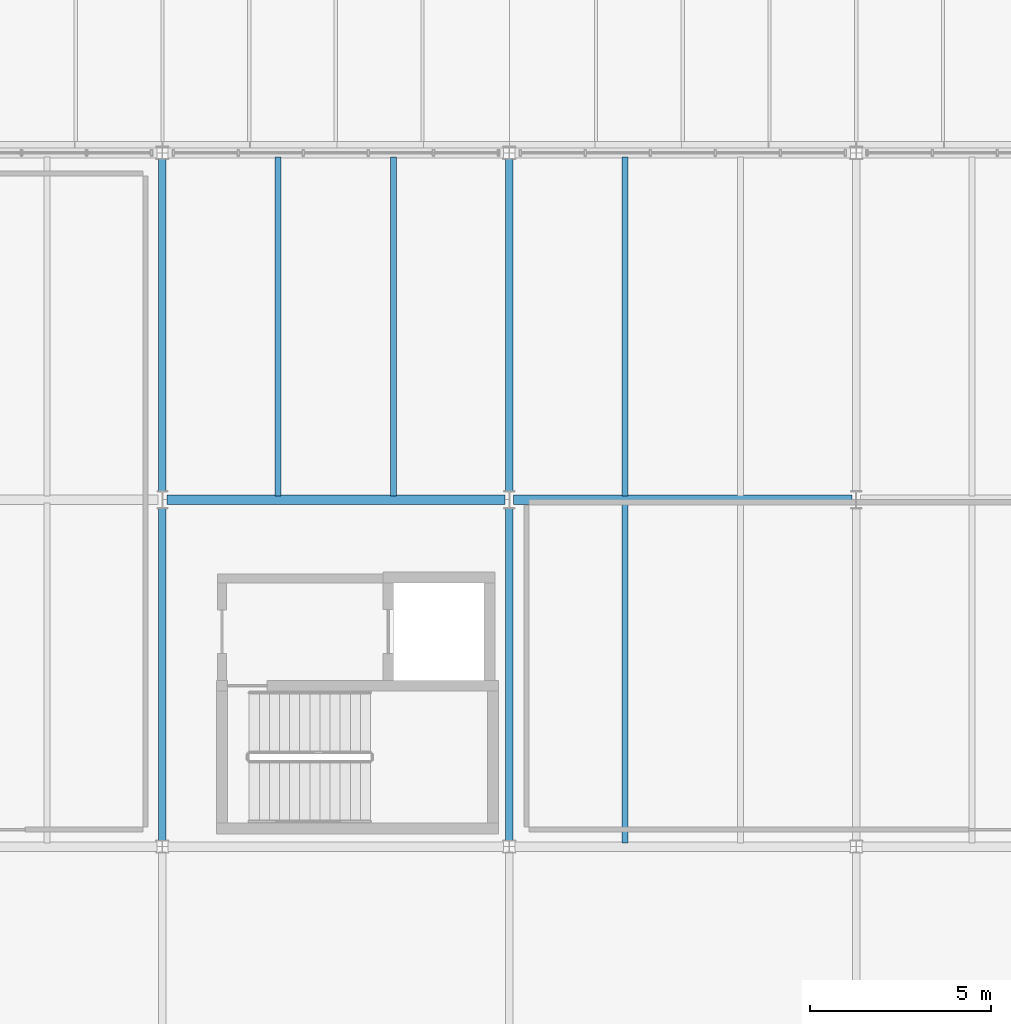
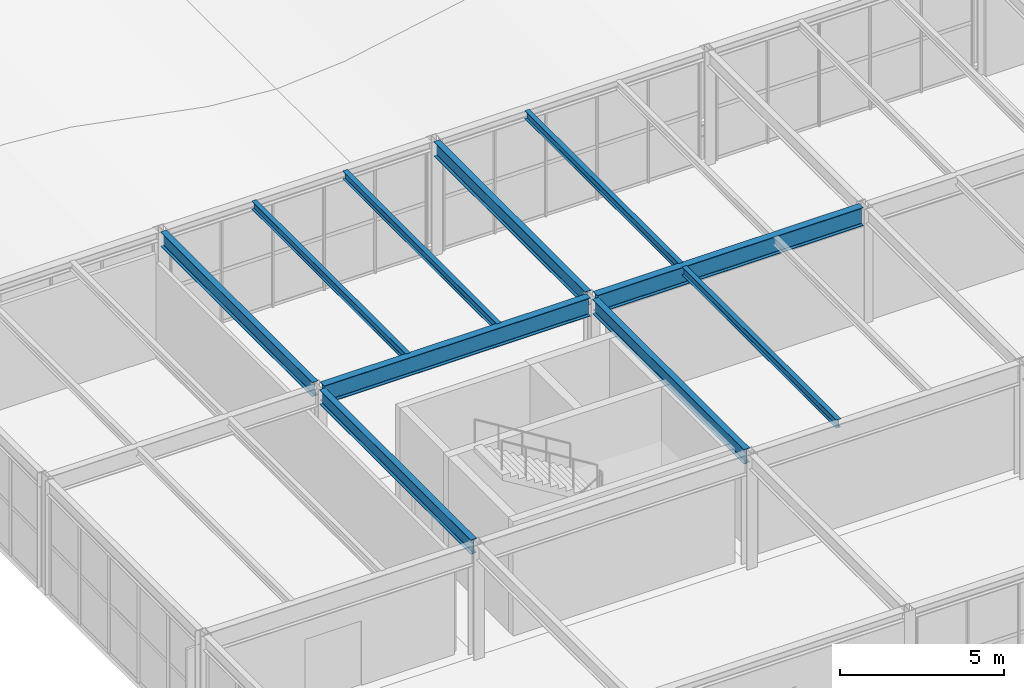
# One storey, part 88 of 170: 10 beams.
"""IFC4 building model written with IfcOpenShell, lengths in metres."""

from ifc_helpers import new_model, si_unit, direction, frame, origin, origin_2d, place, context, subcontext, project, spatial, i_section, extrude, material, material_profile, profile_set, type_object, element, save


model = new_model("IFC4")

# Units and contexts
model_context = context("Model", 3, precision=1e-05, world=origin(), true_north=direction((0.0, 1.0)))
body_context = subcontext(model_context, "Body", "Model", "MODEL_VIEW")
ifc_project = project(units=[si_unit("LENGTHUNIT", "METRE"), si_unit("AREAUNIT", "SQUARE_METRE"), si_unit("VOLUMEUNIT", "CUBIC_METRE"), si_unit("PLANEANGLEUNIT", "RADIAN"), si_unit("MASSUNIT", "GRAM", prefix="KILO")], contexts=[model_context])

# Site, building, storey
site_placement = place(None, origin())
site = spatial("IfcSite", under=ifc_project, at=site_placement, CompositionType="ELEMENT")
building_placement = place(site_placement, origin())
building = spatial("IfcBuilding", under=site, at=building_placement, Name="Coralgate Yard Interchange", CompositionType="ELEMENT")
storey_placement = place(building_placement, frame((0.0, 0.0, 6.0)))
storey = spatial("IfcBuildingStorey", under=building, at=storey_placement, Name="L01", CompositionType="ELEMENT", Elevation=6.0)

# Beams
ifc_material = material(Name="Structural steel S355J2", Category="steel")
ifc_material_profile_1 = material_profile(ifc_material, i_section(OverallWidth=0.209228515625, OverallDepth=0.533203125, WebThickness=0.010009765625, FlangeThickness=0.015625, FilletRadius=0.0126953125, at=origin_2d()), Name="UB 533x210x92")
ifc_profile_set_1 = profile_set([ifc_material_profile_1], Name="Structural steel S355J2")
beam_type_1 = type_object("IfcBeamType", Name="BM-SB-1", PredefinedType="BEAM", material=ifc_profile_set_1)
for number, where, z_axis, x_axis, name in (
    (1, (48.0, 76.9541015625, 3.9833984375), (0.0, 1.0, 0.0), (-1.0, 0.0, 0.0), "L01 primary grid girder X5 Y8-9"),
    (2, (48.0, 86.6201171875, 3.9833984375), (0.0, 1.0, 0.0), (-1.0, 0.0, 0.0), "L01 primary grid girder X5 Y9-10"),
    (3, (57.60009765625, 76.9541015625, 3.9833984375), (0.0, 1.0, 0.0), (-1.0, 0.0, 0.0), "L01 primary grid girder X6 Y8-9"),
    (4, (57.60009765625, 86.6201171875, 3.9833984375), (0.0, 1.0, 0.0), (-1.0, 0.0, 0.0), "L01 primary grid girder X6 Y9-10"),
):
    element("IfcBeam", number, at=place(storey_placement, frame(where, z_axis=z_axis, x_axis=x_axis)), inside=storey, type_object=beam_type_1, Name=name, PredefinedType="BEAM", context=body_context, shape_type="SweptSolid", body=[
        extrude(i_section(OverallWidth=0.209228515625, OverallDepth=0.533203125, WebThickness=0.010009765625, FlangeThickness=0.015625, FilletRadius=0.0126953125, at=origin_2d()), origin(), (0.0, 0.0, 1.0), 9.225830078125),
    ])
ifc_material_profile_2 = material_profile(ifc_material, i_section(OverallWidth=0.253662109375, OverallDepth=0.68359375, WebThickness=0.012451171875, FlangeThickness=0.01904296875, FilletRadius=0.01513671875, at=origin_2d()), Name="UB 686x254x140")
ifc_profile_set_2 = profile_set([ifc_material_profile_2], Name="Structural steel S355J2")
beam_type_2 = type_object("IfcBeamType", Name="BM-SG-4", PredefinedType="BEAM", material=ifc_profile_set_2)
beam_1_placement = place(storey_placement, frame((48.1201171875, 86.39990234375, 3.908203125), z_axis=(1.0, 0.0, 0.0), x_axis=(0.0, 1.0, 0.0)))
element("IfcBeam", 5, at=beam_1_placement, inside=storey, type_object=beam_type_2, Name="L01 primary grid beam Y9 X5-6", PredefinedType="BEAM", context=body_context, shape_type="SweptSolid", body=[
    extrude(i_section(OverallWidth=0.253662109375, OverallDepth=0.68359375, WebThickness=0.012451171875, FlangeThickness=0.01904296875, FilletRadius=0.01513671875, at=origin_2d()), origin(), (0.0, 0.0, 1.0), 9.35986328125),
])
beam_2_placement = place(storey_placement, frame((57.719970703125, 86.39990234375, 3.908203125), z_axis=(1.0, 0.0, 0.0), x_axis=(0.0, 1.0, 0.0)))
element("IfcBeam", 6, at=beam_2_placement, inside=storey, type_object=beam_type_2, Name="L01 primary grid beam Y9 X6-7", PredefinedType="BEAM", context=body_context, shape_type="SweptSolid", body=[
    extrude(i_section(OverallWidth=0.253662109375, OverallDepth=0.68359375, WebThickness=0.012451171875, FlangeThickness=0.01904296875, FilletRadius=0.01513671875, at=origin_2d()), origin(), (0.0, 0.0, 1.0), 9.360107421875),
])
ifc_material_profile_3 = material_profile(ifc_material, i_section(OverallWidth=0.1650390625, OverallDepth=0.303466796875, WebThickness=0.006103515625, FlangeThickness=0.01025390625, FilletRadius=0.0087890625, at=origin_2d()), Name="UB 305x165x40")
ifc_profile_set_3 = profile_set([ifc_material_profile_3], Name="Structural steel S355J2")
beam_type_3 = type_object("IfcBeamType", Name="BM-SJ-1", PredefinedType="JOIST", material=ifc_profile_set_3)
for number, where, z_axis, x_axis, name in (
    (7, (51.199951171875, 86.496826171875, 4.098388671875), (0.0, 1.0, 0.0), (-1.0, 0.0, 0.0), "L01 composite floor joist 5-9-1"),
    (8, (54.39990234375, 86.496826171875, 4.098388671875), (0.0, 1.0, 0.0), (-1.0, 0.0, 0.0), "L01 composite floor joist 5-9-2"),
):
    element("IfcBeam", number, at=place(storey_placement, frame(where, z_axis=z_axis, x_axis=x_axis)), inside=storey, type_object=beam_type_3, Name=name, PredefinedType="JOIST", context=body_context, shape_type="SweptSolid", body=[
        extrude(i_section(OverallWidth=0.1650390625, OverallDepth=0.303466796875, WebThickness=0.006103515625, FlangeThickness=0.01025390625, FilletRadius=0.0087890625, at=origin_2d()), origin(), (0.0, 0.0, 1.0), 9.383056640625),
    ])
beam_3_placement = place(storey_placement, frame((60.800048828125, 76.9033203125, 4.098388671875), z_axis=(0.0, 1.0, 0.0), x_axis=(-1.0, 0.0, 0.0)))
element("IfcBeam", 9, at=beam_3_placement, inside=storey, type_object=beam_type_3, Name="L01 composite floor joist 6-8-1", PredefinedType="JOIST", context=body_context, shape_type="SweptSolid", body=[
    extrude(i_section(OverallWidth=0.1650390625, OverallDepth=0.303466796875, WebThickness=0.006103515625, FlangeThickness=0.01025390625, FilletRadius=0.0087890625, at=origin_2d()), origin(), (0.0, 0.0, 1.0), 9.399658203125),
])
beam_4_placement = place(storey_placement, frame((60.800048828125, 86.496826171875, 4.098388671875), z_axis=(0.0, 1.0, 0.0), x_axis=(-1.0, 0.0, 0.0)))
element("IfcBeam", 10, at=beam_4_placement, inside=storey, type_object=beam_type_3, Name="L01 composite floor joist 6-9-1", PredefinedType="JOIST", context=body_context, shape_type="SweptSolid", body=[
    extrude(i_section(OverallWidth=0.1650390625, OverallDepth=0.303466796875, WebThickness=0.006103515625, FlangeThickness=0.01025390625, FilletRadius=0.0087890625, at=origin_2d()), origin(), (0.0, 0.0, 1.0), 9.383056640625),
])

save(model, "model.ifc")
